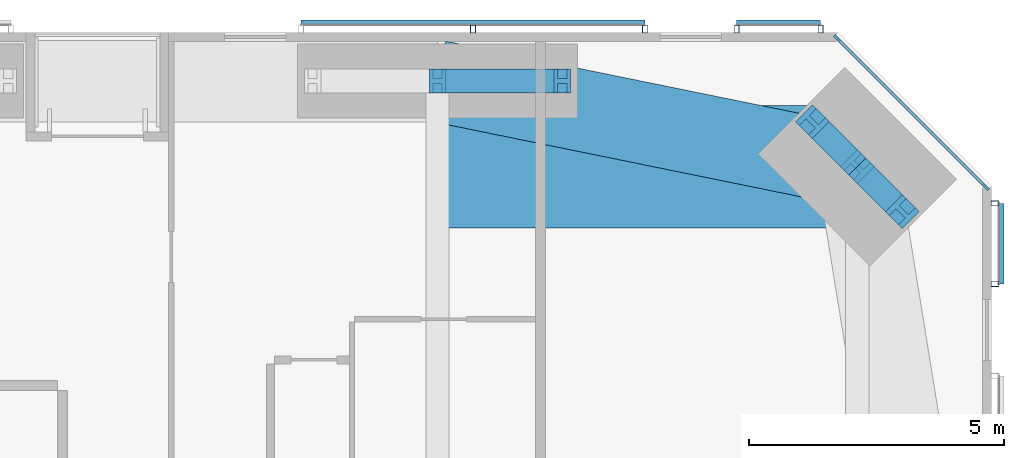
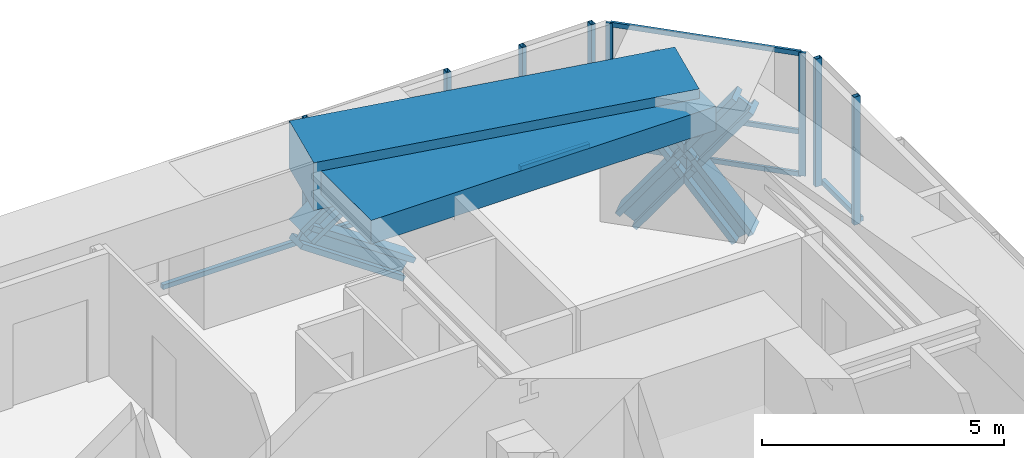
# One storey, part 14 of 23: 20 members, 2 beams, 4 elements without a shape of their own.
"""IFC4 building model written with IfcOpenShell, lengths in metres."""

from ifc_helpers import new_model, si_unit, direction, frame, origin, origin_2d, place, context, subcontext, project, spatial, rectangle, hollow_rectangle, i_section, extrude, material, material_profile, profile_set, type_object, element, aggregate, save


model = new_model("IFC4")

# Units and contexts
model_context = context("Model", 3, precision=1e-05, world=origin(), true_north=direction((0.0, 1.0)))
body_context = subcontext(model_context, "Body", "Model", "MODEL_VIEW")
ifc_project = project(units=[si_unit("LENGTHUNIT", "METRE"), si_unit("AREAUNIT", "SQUARE_METRE"), si_unit("VOLUMEUNIT", "CUBIC_METRE"), si_unit("PLANEANGLEUNIT", "RADIAN"), si_unit("MASSUNIT", "GRAM", prefix="KILO")], contexts=[model_context])

# Site, building, storey
site_placement = place(None, origin())
site = spatial("IfcSite", under=ifc_project, at=site_placement, CompositionType="ELEMENT")
building_placement = place(site_placement, origin())
building = spatial("IfcBuilding", under=site, at=building_placement, Name="Jalousie Tower", CompositionType="ELEMENT")
storey_placement = place(building_placement, frame((0.0, 0.0, 108.199951171875)))
storey = spatial("IfcBuildingStorey", under=building, at=storey_placement, Name="L29", CompositionType="ELEMENT", Elevation=108.199951171875)

# Curtain wall, members
ifc_material_1 = material(Name="Aluminium curtain wall", Category="aluminium")
curtain_wall_type_1 = type_object("IfcCurtainWallType", Name="CORNER WINDOW WALL", PredefinedType="USERDEFINED", material=ifc_material_1)
curtain_wall_1_placement = place(storey_placement, origin())
curtain_wall_1 = element("IfcCurtainWall", 1, at=curtain_wall_1_placement, inside=storey, type_object=curtain_wall_type_1, Name="Corner Window Wall L29 4", ObjectType="CORNER WINDOW WALL", PredefinedType="USERDEFINED")
ifc_material_2 = material(Name="Aluminium mullion", Category="aluminium")
ifc_material_profile_1 = material_profile(ifc_material_2, rectangle(XDim=0.06005859375, YDim=0.14990234375, at=origin_2d()), Name="MULLION 60x150")
ifc_profile_set_1 = profile_set([ifc_material_profile_1], Name="Aluminium mullion")
member_type_1 = type_object("IfcMemberType", Name="CORNER WINDOW WALL MULLION", PredefinedType="MULLION", material=ifc_profile_set_1)
member_1_placement = place(storey_placement, frame((49.391357421875, 34.969970703125, 0.0), z_axis=(0.0, 0.0, 1.0), x_axis=(-0.707106781187, -0.707106781187, 0.0)))
member_1 = element("IfcMember", 2, at=member_1_placement, type_object=member_type_1, Name="CW-C mullion 1", PredefinedType="MULLION", context=body_context, shape_type="SweptSolid", body=[
    extrude(rectangle(XDim=0.06005859375, YDim=0.14990234375, at=origin_2d()), origin(), (0.0, 0.0, 1.0), 3.110107421875),
])
member_2_placement = place(storey_placement, frame((46.469970703125, 37.891357421875, 0.0), z_axis=(0.0, 0.0, 1.0), x_axis=(-0.707106781187, -0.707106781187, 0.0)))
member_2 = element("IfcMember", 3, at=member_2_placement, type_object=member_type_1, Name="CW-C mullion 2", PredefinedType="MULLION", context=body_context, shape_type="SweptSolid", body=[
    extrude(rectangle(XDim=0.06005859375, YDim=0.14990234375, at=origin_2d()), origin(), (0.0, 0.0, 1.0), 3.110107421875),
])
ifc_material_3 = material(Name="Aluminium transom", Category="aluminium")
ifc_material_profile_2 = material_profile(ifc_material_3, rectangle(XDim=0.06005859375, YDim=0.1201171875, at=origin_2d()), Name="TRANSOM 60x120")
ifc_profile_set_2 = profile_set([ifc_material_profile_2], Name="Aluminium transom")
member_type_2 = type_object("IfcMemberType", Name="CORNER WINDOW WALL TRANSOM", PredefinedType="USERDEFINED", material=ifc_profile_set_2)
member_3_placement = place(storey_placement, frame((49.3701171875, 34.9912109375, 0.030029296875), z_axis=(-0.707106781187, 0.707106781187, 0.0), x_axis=(-0.707106781187, -0.707106781187, 0.0)))
member_3 = element("IfcMember", 4, at=member_3_placement, type_object=member_type_2, Name="CW-C transom 1.1", ObjectType="TRANSOM", PredefinedType="USERDEFINED", context=body_context, shape_type="SweptSolid", body=[
    extrude(rectangle(XDim=0.06005859375, YDim=0.1201171875, at=origin_2d()), origin(), (0.0, 0.0, 1.0), 4.0712890625),
])
member_4_placement = place(storey_placement, frame((49.3701171875, 34.9912109375, 1.10009765625), z_axis=(-0.707106781187, 0.707106781187, 0.0), x_axis=(-0.707106781187, -0.707106781187, 0.0)))
member_4 = element("IfcMember", 5, at=member_4_placement, type_object=member_type_2, Name="CW-C transom 1.2", ObjectType="TRANSOM", PredefinedType="USERDEFINED", context=body_context, shape_type="SweptSolid", body=[
    extrude(rectangle(XDim=0.06005859375, YDim=0.1201171875, at=origin_2d()), origin(), (0.0, 0.0, 1.0), 4.0712890625),
])
member_5_placement = place(storey_placement, frame((49.3701171875, 34.9912109375, 3.080078125), z_axis=(-0.707106781187, 0.707106781187, 0.0), x_axis=(-0.707106781187, -0.707106781187, 0.0)))
member_5 = element("IfcMember", 6, at=member_5_placement, type_object=member_type_2, Name="CW-C transom 1.3", ObjectType="TRANSOM", PredefinedType="USERDEFINED", context=body_context, shape_type="SweptSolid", body=[
    extrude(rectangle(XDim=0.06005859375, YDim=0.1201171875, at=origin_2d()), origin(), (0.0, 0.0, 1.0), 4.0712890625),
])
aggregate(curtain_wall_1, [member_1, member_2, member_3, member_4, member_5])

# Members
ifc_material_4 = material(Name="Steel ASTM A992 Grade 50", Category="steel")
ifc_material_profile_3 = material_profile(ifc_material_4, i_section(OverallWidth=0.472412109375, OverallDepth=0.5791015625, WebThickness=0.094970703125, FlangeThickness=0.1298828125, at=origin_2d()), Name="W14X808")
ifc_profile_set_3 = profile_set([ifc_material_profile_3], Name="Steel ASTM A992 Grade 50")
member_type_3 = type_object("IfcMemberType", Name="PERIMETER BRACE W14X808", PredefinedType="BRACE", material=ifc_profile_set_3)
member_6_placement = place(storey_placement, frame((47.75244140625, 34.484619140625, -0.599853515625), z_axis=(-0.422891306588, 0.423008127391, 0.801390708065), x_axis=(-0.707204427637, -0.70700912125, 0.0)))
element("IfcMember", 7, at=member_6_placement, inside=storey, type_object=member_type_3, Name="Perimeter brace 08 L29 part 1", PredefinedType="BRACE", context=body_context, shape_type="SweptSolid", body=[
    extrude(i_section(OverallWidth=0.472412109375, OverallDepth=0.5791015625, WebThickness=0.094970703125, FlangeThickness=0.1298828125, at=origin_2d()), origin(), (0.0, 0.0, 1.0), 2.08984375),
])
member_7_placement = place(storey_placement, frame((46.86865234375, 35.36865234375, 1.074951171875), z_axis=(-0.422968528423, 0.422851718556, 0.801432497518), x_axis=(-0.70700912125, -0.707204427637, 0.0)))
element("IfcMember", 8, at=member_7_placement, inside=storey, type_object=member_type_3, Name="Perimeter brace 08 L29 part 2", PredefinedType="BRACE", context=body_context, shape_type="SweptSolid", body=[
    extrude(i_section(OverallWidth=0.472412109375, OverallDepth=0.5791015625, WebThickness=0.094970703125, FlangeThickness=0.1298828125, at=origin_2d()), origin(), (0.0, 0.0, 1.0), 2.090087890625),
])
member_8_placement = place(storey_placement, frame((45.984619140625, 36.25244140625, -0.599853515625), z_axis=(0.423008127391, -0.422891306588, 0.801390708065), x_axis=(0.70700912125, 0.707204427637, 0.0)))
element("IfcMember", 9, at=member_8_placement, inside=storey, type_object=member_type_3, Name="Perimeter brace 08 L29 part 3", PredefinedType="BRACE", context=body_context, shape_type="SweptSolid", body=[
    extrude(i_section(OverallWidth=0.472412109375, OverallDepth=0.5791015625, WebThickness=0.094970703125, FlangeThickness=0.1298828125, at=origin_2d()), origin(), (0.0, 0.0, 1.0), 2.08984375),
])
member_9_placement = place(storey_placement, frame((46.86865234375, 35.36865234375, 1.074951171875), z_axis=(0.422851718556, -0.422968528423, 0.801432497518), x_axis=(0.707204427637, 0.70700912125, 0.0)))
element("IfcMember", 10, at=member_9_placement, inside=storey, type_object=member_type_3, Name="Perimeter brace 08 L29 part 4", PredefinedType="BRACE", context=body_context, shape_type="SweptSolid", body=[
    extrude(i_section(OverallWidth=0.472412109375, OverallDepth=0.5791015625, WebThickness=0.094970703125, FlangeThickness=0.1298828125, at=origin_2d()), origin(), (0.0, 0.0, 1.0), 2.090087890625),
])
for number, where, z_axis, x_axis, name in (
    (11, (38.625, 37.050048828125, 1.074951171875), (0.825500916831, 0.0, 0.564400776321), (0.0, 1.0, 0.0), "Perimeter brace 09 L29 part 2"),
    (12, (41.074951171875, 37.050048828125, -0.599853515625), (-0.825539243753, 0.0, 0.564344714713), (0.0, -1.0, 0.0), "Perimeter brace 09 L29 part 3"),
):
    element("IfcMember", number, at=place(storey_placement, frame(where, z_axis=z_axis, x_axis=x_axis)), inside=storey, type_object=member_type_3, Name=name, PredefinedType="BRACE", context=body_context, shape_type="SweptSolid", body=[
        extrude(i_section(OverallWidth=0.472412109375, OverallDepth=0.5791015625, WebThickness=0.094970703125, FlangeThickness=0.1298828125, at=origin_2d()), origin(), (0.0, 0.0, 1.0), 2.9677734375),
    ])

# Beams
ifc_material_5 = material(Name="Concrete f'c 40 MPa", Category="concrete")
ifc_material_profile_4 = material_profile(ifc_material_5, rectangle(XDim=1.60009765625, YDim=1.199951171875, at=origin_2d()), Name="RC 1600x1200")
ifc_profile_set_4 = profile_set([ifc_material_profile_4], Name="Concrete f'c 40 MPa")
beam_type_1 = type_object("IfcBeamType", Name="RC BEAM 1600x1200", PredefinedType="BEAM", material=ifc_profile_set_4)
beam_1_placement = place(storey_placement, frame((46.86865234375, 35.36865234375, 2.75), z_axis=(-0.97982690954, 0.199848010602, 0.0), x_axis=(-0.199848010602, -0.97982690954, 0.0)))
element("IfcBeam", 13, at=beam_1_placement, inside=storey, type_object=beam_type_1, Name="Edge band beam 08-09 under L30", PredefinedType="BEAM", context=body_context, shape_type="SweptSolid", body=[
    extrude(rectangle(XDim=1.60009765625, YDim=1.199951171875, at=origin_2d()), origin(), (0.0, 0.0, 1.0), 8.413330078125),
])
ifc_material_6 = material(Name="Concrete f'c 40 MPa", Category="concrete")
ifc_material_profile_5 = material_profile(ifc_material_6, rectangle(XDim=2.39990234375, YDim=0.60009765625, at=origin_2d()), Name="RC 2400x600")
ifc_profile_set_5 = profile_set([ifc_material_profile_5], Name="Concrete f'c 40 MPa")
beam_type_2 = type_object("IfcBeamType", Name="RC BEAM 2400x600", PredefinedType="BEAM", material=ifc_profile_set_5)
beam_2_placement = place(storey_placement, frame((46.86865234375, 35.36865234375, 2.81005859375), z_axis=(-1.0, 0.0, 0.0), x_axis=(0.0, -1.0, 0.0)))
element("IfcBeam", 14, at=beam_2_placement, inside=storey, type_object=beam_type_2, Name="Floor band beam under L30", PredefinedType="BEAM", context=body_context, shape_type="SweptSolid", body=[
    extrude(rectangle(XDim=2.39990234375, YDim=0.60009765625, at=origin_2d()), origin(), (0.0, 0.0, 1.0), 8.24365234375),
])

# Curtain wall, members
ifc_material_7 = material(Name="Perforated aluminium sheet", Category="aluminium")
curtain_wall_type_2 = type_object("IfcCurtainWallType", Name="SOLAR SCREEN SS-1", PredefinedType="USERDEFINED", material=ifc_material_7)
curtain_wall_2_placement = place(storey_placement, origin())
curtain_wall_2 = element("IfcCurtainWall", 15, at=curtain_wall_2_placement, inside=storey, type_object=curtain_wall_type_2, Name="Solar screen L29", ObjectType="SOLAR SCREEN SS-1", PredefinedType="USERDEFINED")
ifc_material_8 = material(Name="Steel ASTM A500 Grade C", Category="steel")
ifc_material_profile_6 = material_profile(ifc_material_8, hollow_rectangle(XDim=0.1015625, YDim=0.15234375, WallThickness=0.00634765625, at=origin_2d()), Name="HSS6X4X1/4")
ifc_profile_set_6 = profile_set([ifc_material_profile_6], Name="Steel ASTM A500 Grade C")
member_type_4 = type_object("IfcMemberType", Name="SOLAR SCREEN SS-1 MULLION", PredefinedType="MULLION", material=ifc_profile_set_6)
member_10_placement = place(storey_placement, frame((49.5712890625, 33.06201171875, -0.119873046875), z_axis=(0.0, 0.0, 1.0), x_axis=(0.0, 1.0, 0.0)))
member_10 = element("IfcMember", 16, at=member_10_placement, type_object=member_type_4, Name="SS1 post 1", PredefinedType="MULLION", context=body_context, shape_type="SweptSolid", body=[
    extrude(hollow_rectangle(XDim=0.1015625, YDim=0.15234375, WallThickness=0.00634765625, at=origin_2d()), origin(), (0.0, 0.0, 1.0), 3.22998046875),
])
member_11_placement = place(storey_placement, frame((49.5712890625, 34.648681640625, -0.119873046875), z_axis=(0.0, 0.0, 1.0), x_axis=(0.0, 1.0, 0.0)))
member_11 = element("IfcMember", 17, at=member_11_placement, type_object=member_type_4, Name="SS1 post 2", PredefinedType="MULLION", context=body_context, shape_type="SweptSolid", body=[
    extrude(hollow_rectangle(XDim=0.1015625, YDim=0.15234375, WallThickness=0.00634765625, at=origin_2d()), origin(), (0.0, 0.0, 1.0), 3.22998046875),
])

curtain_wall_3_placement = place(storey_placement, origin())
curtain_wall_3 = element("IfcCurtainWall", 18, at=curtain_wall_3_placement, inside=storey, type_object=curtain_wall_type_2, Name="Solar screen L29", ObjectType="SOLAR SCREEN SS-1", PredefinedType="USERDEFINED")
member_12_placement = place(storey_placement, frame((46.148681640625, 38.0712890625, -0.119873046875), z_axis=(0.0, 0.0, 1.0), x_axis=(-1.0, 0.0, 0.0)))
member_12 = element("IfcMember", 19, at=member_12_placement, type_object=member_type_4, Name="SS1 post 1", PredefinedType="MULLION", context=body_context, shape_type="SweptSolid", body=[
    extrude(hollow_rectangle(XDim=0.1015625, YDim=0.15234375, WallThickness=0.00634765625, at=origin_2d()), origin(), (0.0, 0.0, 1.0), 3.22998046875),
])
member_13_placement = place(storey_placement, frame((44.499267578125, 38.0712890625, -0.119873046875), z_axis=(0.0, 0.0, 1.0), x_axis=(-1.0, 0.0, 0.0)))
member_13 = element("IfcMember", 20, at=member_13_placement, type_object=member_type_4, Name="SS1 post 2", PredefinedType="MULLION", context=body_context, shape_type="SweptSolid", body=[
    extrude(hollow_rectangle(XDim=0.1015625, YDim=0.15234375, WallThickness=0.00634765625, at=origin_2d()), origin(), (0.0, 0.0, 1.0), 3.22998046875),
])

curtain_wall_4_placement = place(storey_placement, origin())
curtain_wall_4 = element("IfcCurtainWall", 21, at=curtain_wall_4_placement, inside=storey, type_object=curtain_wall_type_2, Name="Solar screen L29", ObjectType="SOLAR SCREEN SS-1", PredefinedType="USERDEFINED")
member_14_placement = place(storey_placement, frame((42.69921875, 38.0712890625, -0.119873046875), z_axis=(0.0, 0.0, 1.0), x_axis=(-1.0, 0.0, 0.0)))
member_14 = element("IfcMember", 22, at=member_14_placement, type_object=member_type_4, Name="SS1 post 1", PredefinedType="MULLION", context=body_context, shape_type="SweptSolid", body=[
    extrude(hollow_rectangle(XDim=0.1015625, YDim=0.15234375, WallThickness=0.00634765625, at=origin_2d()), origin(), (0.0, 0.0, 1.0), 3.22998046875),
])
member_15_placement = place(storey_placement, frame((39.324951171875, 38.0712890625, -0.119873046875), z_axis=(0.0, 0.0, 1.0), x_axis=(-1.0, 0.0, 0.0)))
member_15 = element("IfcMember", 23, at=member_15_placement, type_object=member_type_4, Name="SS1 post 2", PredefinedType="MULLION", context=body_context, shape_type="SweptSolid", body=[
    extrude(hollow_rectangle(XDim=0.1015625, YDim=0.15234375, WallThickness=0.00634765625, at=origin_2d()), origin(), (0.0, 0.0, 1.0), 3.22998046875),
])

# Member
ifc_material_9 = material(Name="Extruded aluminium screen rail", Category="aluminium")
ifc_material_profile_7 = material_profile(ifc_material_9, rectangle(XDim=0.1015625, YDim=0.1201171875, at=origin_2d()), Name="RAIL 102x120")
ifc_profile_set_7 = profile_set([ifc_material_profile_7], Name="Extruded aluminium screen rail")
member_type_5 = type_object("IfcMemberType", Name="SOLAR SCREEN SS-1 TRANSOM", PredefinedType="USERDEFINED", material=ifc_profile_set_7)
member_16_placement = place(storey_placement, frame((49.6982421875, 33.06201171875, -0.06005859375), z_axis=(0.0, 1.0, 0.0), x_axis=(-1.0, 0.0, 0.0)))
member_16 = element("IfcMember", 24, at=member_16_placement, type_object=member_type_5, Name="SS1 rail", ObjectType="TRANSOM", PredefinedType="USERDEFINED", context=body_context, shape_type="SweptSolid", body=[
    extrude(rectangle(XDim=0.1015625, YDim=0.1201171875, at=origin_2d()), origin(), (0.0, 0.0, 1.0), 1.586669921875),
])

aggregate(curtain_wall_2, [member_10, member_11, member_16])

member_17_placement = place(storey_placement, frame((46.148681640625, 38.1982421875, -0.06005859375), z_axis=(-1.0, 0.0, 0.0), x_axis=(0.0, -1.0, 0.0)))
member_17 = element("IfcMember", 25, at=member_17_placement, type_object=member_type_5, Name="SS1 rail", ObjectType="TRANSOM", PredefinedType="USERDEFINED", context=body_context, shape_type="SweptSolid", body=[
    extrude(rectangle(XDim=0.1015625, YDim=0.1201171875, at=origin_2d()), origin(), (0.0, 0.0, 1.0), 1.6494140625),
])

aggregate(curtain_wall_3, [member_12, member_13, member_17])

member_18_placement = place(storey_placement, frame((42.69921875, 38.1982421875, -0.06005859375), z_axis=(-1.0, 0.0, 0.0), x_axis=(0.0, -1.0, 0.0)))
member_18 = element("IfcMember", 26, at=member_18_placement, type_object=member_type_5, Name="SS1 rail", ObjectType="TRANSOM", PredefinedType="USERDEFINED", context=body_context, shape_type="SweptSolid", body=[
    extrude(rectangle(XDim=0.1015625, YDim=0.1201171875, at=origin_2d()), origin(), (0.0, 0.0, 1.0), 6.748779296875),
])

aggregate(curtain_wall_4, [member_14, member_15, member_18])

save(model, "model.ifc")
